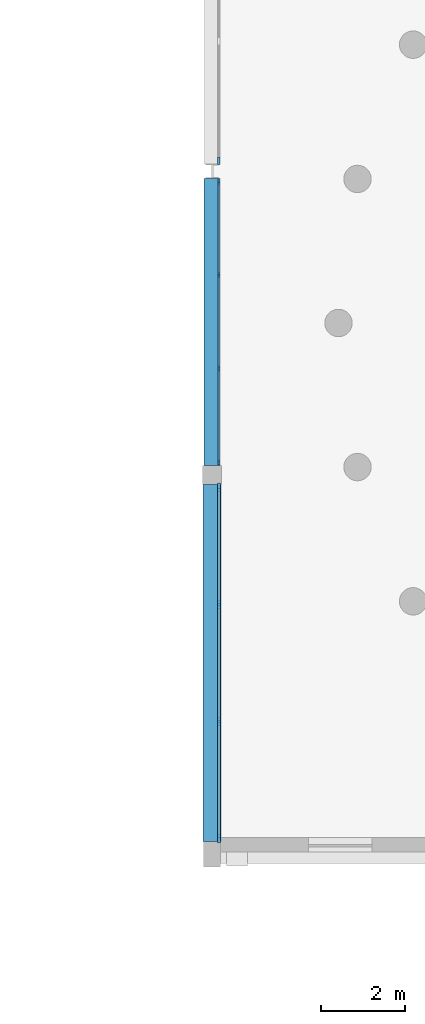
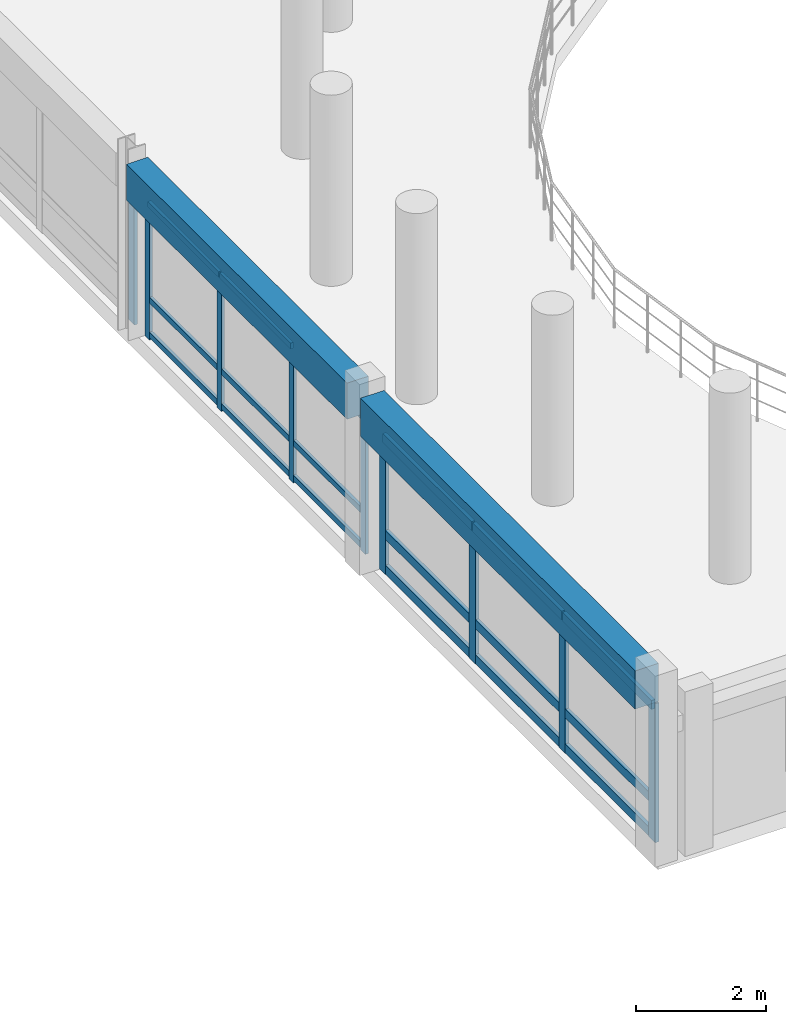
# One storey, part 12 of 52: 27 members, 2 beams, 3 elements without a shape of their own.
"""IFC4 building model written with IfcOpenShell, lengths in metres."""

from ifc_helpers import new_model, si_unit, direction, frame, origin, origin_2d, place, context, subcontext, project, spatial, rectangle, extrude, material, material_profile, profile_set, type_object, element, aggregate, save


model = new_model("IFC4")

# Units and contexts
model_context = context("Model", 3, precision=1e-05, world=origin(), true_north=direction((0.0, 1.0)))
body_context = subcontext(model_context, "Body", "Model", "MODEL_VIEW")
ifc_project = project(units=[si_unit("LENGTHUNIT", "METRE"), si_unit("AREAUNIT", "SQUARE_METRE"), si_unit("VOLUMEUNIT", "CUBIC_METRE"), si_unit("PLANEANGLEUNIT", "RADIAN"), si_unit("MASSUNIT", "GRAM", prefix="KILO")], contexts=[model_context])

# Site, building, storey
site_placement = place(None, origin())
site = spatial("IfcSite", under=ifc_project, at=site_placement, CompositionType="ELEMENT")
building_placement = place(site_placement, origin())
building = spatial("IfcBuilding", under=site, at=building_placement, Name="Clarverna Civic Hall", CompositionType="ELEMENT")
storey_placement = place(building_placement, frame((0.0, 0.0, 16.800048828125)))
storey = spatial("IfcBuildingStorey", under=building, at=storey_placement, Name="L04", CompositionType="ELEMENT", Elevation=16.800048828125)

# Beams
ifc_material_1 = material(Name="Concrete C35/45", Category="concrete")
ifc_material_profile_1 = material_profile(ifc_material_1, rectangle(XDim=0.419921875, YDim=0.719970703125, at=origin_2d()), Name="RC 420x720")
ifc_profile_set_1 = profile_set([ifc_material_profile_1], Name="Concrete C35/45")
beam_type_1 = type_object("IfcBeamType", Name="B-SP1", PredefinedType="SPANDREL", material=ifc_profile_set_1)
beam_1_placement = place(storey_placement, frame((66.60009765625, 46.699951171875, 2.97998046875), z_axis=(0.0, 1.0, 0.0), x_axis=(-1.0, 0.0, 0.0)))
element("IfcBeam", 1, at=beam_1_placement, inside=storey, type_object=beam_type_1, Name="B-SP1-138", PredefinedType="SPANDREL", context=body_context, shape_type="SweptSolid", body=[
    extrude(rectangle(XDim=0.419921875, YDim=0.719970703125, at=origin_2d()), origin(), (0.0, 0.0, 1.0), 8.47509765625),
])
ifc_material_profile_2 = material_profile(ifc_material_1, rectangle(XDim=0.3798828125, YDim=0.679931640625, at=origin_2d()), Name="RC 380x680")
ifc_profile_set_2 = profile_set([ifc_material_profile_2], Name="Concrete C35/45")
beam_type_2 = type_object("IfcBeamType", Name="B-SP2", PredefinedType="SPANDREL", material=ifc_profile_set_2)
beam_2_placement = place(storey_placement, frame((66.60009765625, 55.625, 3.0), z_axis=(0.0, 1.0, 0.0), x_axis=(-1.0, 0.0, 0.0)))
element("IfcBeam", 2, at=beam_2_placement, inside=storey, type_object=beam_type_2, Name="B-SP2-145", PredefinedType="SPANDREL", context=body_context, shape_type="SweptSolid", body=[
    extrude(rectangle(XDim=0.3798828125, YDim=0.679931640625, at=origin_2d()), origin(), (0.0, 0.0, 1.0), 6.804931640625),
])

# Curtain wall, member
ifc_material_2 = material(Name="Anodised Bronze Architectural Aluminium", Category="aluminium")
curtain_wall_type = type_object("IfcCurtainWallType", Name="CW-06", PredefinedType="USERDEFINED", material=ifc_material_2)
curtain_wall_1_placement = place(storey_placement, origin())
curtain_wall_1 = element("IfcCurtainWall", 3, at=curtain_wall_1_placement, inside=storey, type_object=curtain_wall_type, Name="CW-06-003", ObjectType="UNITISED CURTAIN WALL", PredefinedType="USERDEFINED")
ifc_material_profile_3 = material_profile(ifc_material_2, rectangle(XDim=0.06005859375, YDim=0.179931640625, at=origin_2d()), Name="BRONZE 60x180")
ifc_profile_set_3 = profile_set([ifc_material_profile_3], Name="Anodised Bronze Architectural Aluminium")
member_type_1 = type_object("IfcMemberType", Name="CWM-01", PredefinedType="MULLION", material=ifc_profile_set_3)
member_1_placement = place(storey_placement, frame((66.764892578125, 62.843017578125, 0.0), z_axis=(0.0, 0.0, 1.0), x_axis=(1.0, 0.0, 0.0)))
member_1 = element("IfcMember", 4, at=member_1_placement, type_object=member_type_1, Name="CWM-01-178", PredefinedType="MULLION", context=body_context, shape_type="SweptSolid", body=[
    extrude(rectangle(XDim=0.06005859375, YDim=0.179931640625, at=origin_2d()), origin(), (0.0, 0.0, 1.0), 2.659912109375),
])
aggregate(curtain_wall_1, [member_1])

# Curtain wall, members
curtain_wall_2_placement = place(storey_placement, origin())
curtain_wall_2 = element("IfcCurtainWall", 5, at=curtain_wall_2_placement, inside=storey, type_object=curtain_wall_type, Name="CW-06-001", ObjectType="UNITISED CURTAIN WALL", PredefinedType="USERDEFINED")
ifc_material_profile_4 = material_profile(ifc_material_2, rectangle(XDim=0.06494140625, YDim=0.199951171875, at=origin_2d()), Name="BRONZE 65x200")
ifc_profile_set_4 = profile_set([ifc_material_profile_4], Name="Anodised Bronze Architectural Aluminium")
member_type_2 = type_object("IfcMemberType", Name="CWM-03", PredefinedType="MULLION", material=ifc_profile_set_4)
member_2_placement = place(storey_placement, frame((66.764892578125, 46.77294921875, 0.0), z_axis=(0.0, 0.0, 1.0), x_axis=(1.0, 0.0, 0.0)))
member_2 = element("IfcMember", 6, at=member_2_placement, type_object=member_type_2, Name="CWM-03-180", PredefinedType="MULLION", context=body_context, shape_type="SweptSolid", body=[
    extrude(rectangle(XDim=0.06494140625, YDim=0.199951171875, at=origin_2d()), origin(), (0.0, 0.0, 1.0), 2.619873046875),
])
member_3_placement = place(storey_placement, frame((66.764892578125, 49.54931640625, 0.0), z_axis=(0.0, 0.0, 1.0), x_axis=(1.0, 0.0, 0.0)))
member_3 = element("IfcMember", 7, at=member_3_placement, type_object=member_type_2, Name="CWM-03-181", PredefinedType="MULLION", context=body_context, shape_type="SweptSolid", body=[
    extrude(rectangle(XDim=0.06494140625, YDim=0.199951171875, at=origin_2d()), origin(), (0.0, 0.0, 1.0), 2.619873046875),
])
member_4_placement = place(storey_placement, frame((66.764892578125, 52.32568359375, 0.0), z_axis=(0.0, 0.0, 1.0), x_axis=(1.0, 0.0, 0.0)))
member_4 = element("IfcMember", 8, at=member_4_placement, type_object=member_type_2, Name="CWM-03-182", PredefinedType="MULLION", context=body_context, shape_type="SweptSolid", body=[
    extrude(rectangle(XDim=0.06494140625, YDim=0.199951171875, at=origin_2d()), origin(), (0.0, 0.0, 1.0), 2.619873046875),
])
member_5_placement = place(storey_placement, frame((66.764892578125, 55.10205078125, 0.0), z_axis=(0.0, 0.0, 1.0), x_axis=(1.0, 0.0, 0.0)))
member_5 = element("IfcMember", 9, at=member_5_placement, type_object=member_type_2, Name="CWM-03-183", PredefinedType="MULLION", context=body_context, shape_type="SweptSolid", body=[
    extrude(rectangle(XDim=0.06494140625, YDim=0.199951171875, at=origin_2d()), origin(), (0.0, 0.0, 1.0), 2.619873046875),
])

curtain_wall_3_placement = place(storey_placement, origin())
curtain_wall_3 = element("IfcCurtainWall", 10, at=curtain_wall_3_placement, inside=storey, type_object=curtain_wall_type, Name="CW-06-002", ObjectType="UNITISED CURTAIN WALL", PredefinedType="USERDEFINED")
ifc_material_profile_5 = material_profile(ifc_material_2, rectangle(XDim=0.054931640625, YDim=0.139892578125, at=origin_2d()), Name="BRONZE 55x140")
ifc_profile_set_5 = profile_set([ifc_material_profile_5], Name="Anodised Bronze Architectural Aluminium")
member_type_3 = type_object("IfcMemberType", Name="CWM-04", PredefinedType="MULLION", material=ifc_profile_set_5)
member_6_placement = place(storey_placement, frame((66.764892578125, 55.697998046875, 0.0), z_axis=(0.0, 0.0, 1.0), x_axis=(1.0, 0.0, 0.0)))
member_6 = element("IfcMember", 11, at=member_6_placement, type_object=member_type_3, Name="CWM-04-203", PredefinedType="MULLION", context=body_context, shape_type="SweptSolid", body=[
    extrude(rectangle(XDim=0.054931640625, YDim=0.139892578125, at=origin_2d()), origin(), (0.0, 0.0, 1.0), 2.619873046875),
])
member_7_placement = place(storey_placement, frame((66.764892578125, 57.917724609375, 0.0), z_axis=(0.0, 0.0, 1.0), x_axis=(1.0, 0.0, 0.0)))
member_7 = element("IfcMember", 12, at=member_7_placement, type_object=member_type_3, Name="CWM-04-204", PredefinedType="MULLION", context=body_context, shape_type="SweptSolid", body=[
    extrude(rectangle(XDim=0.054931640625, YDim=0.139892578125, at=origin_2d()), origin(), (0.0, 0.0, 1.0), 2.619873046875),
])
member_8_placement = place(storey_placement, frame((66.764892578125, 60.13720703125, 0.0), z_axis=(0.0, 0.0, 1.0), x_axis=(1.0, 0.0, 0.0)))
member_8 = element("IfcMember", 13, at=member_8_placement, type_object=member_type_3, Name="CWM-04-205", PredefinedType="MULLION", context=body_context, shape_type="SweptSolid", body=[
    extrude(rectangle(XDim=0.054931640625, YDim=0.139892578125, at=origin_2d()), origin(), (0.0, 0.0, 1.0), 2.619873046875),
])
member_9_placement = place(storey_placement, frame((66.764892578125, 62.35693359375, 0.0), z_axis=(0.0, 0.0, 1.0), x_axis=(1.0, 0.0, 0.0)))
member_9 = element("IfcMember", 14, at=member_9_placement, type_object=member_type_3, Name="CWM-04-206", PredefinedType="MULLION", context=body_context, shape_type="SweptSolid", body=[
    extrude(rectangle(XDim=0.054931640625, YDim=0.139892578125, at=origin_2d()), origin(), (0.0, 0.0, 1.0), 2.619873046875),
])

# Member
ifc_material_profile_6 = material_profile(ifc_material_2, rectangle(XDim=0.06494140625, YDim=0.169921875, at=origin_2d()), Name="BRONZE 65x170")
ifc_profile_set_6 = profile_set([ifc_material_profile_6], Name="Anodised Bronze Architectural Aluminium")
member_type_4 = type_object("IfcMemberType", Name="CWT-03", PredefinedType="USERDEFINED", material=ifc_profile_set_6)
member_10_placement = place(storey_placement, frame((66.764892578125, 46.7880859375, 0.094970703125), z_axis=(0.0, 1.0, 0.0), x_axis=(-1.0, 0.0, 0.0)))
member_10 = element("IfcMember", 15, at=member_10_placement, type_object=member_type_4, Name="CWT-03-382", ObjectType="TRANSOM", PredefinedType="USERDEFINED", context=body_context, shape_type="SweptSolid", body=[
    extrude(rectangle(XDim=0.06494140625, YDim=0.169921875, at=origin_2d()), origin(), (0.0, 0.0, 1.0), 2.74609375),
])

member_11_placement = place(storey_placement, frame((66.764892578125, 46.7880859375, 0.75), z_axis=(0.0, 1.0, 0.0), x_axis=(-1.0, 0.0, 0.0)))
member_11 = element("IfcMember", 16, at=member_11_placement, type_object=member_type_4, Name="CWT-03-383", ObjectType="TRANSOM", PredefinedType="USERDEFINED", context=body_context, shape_type="SweptSolid", body=[
    extrude(rectangle(XDim=0.06494140625, YDim=0.169921875, at=origin_2d()), origin(), (0.0, 0.0, 1.0), 2.74609375),
])

member_12_placement = place(storey_placement, frame((66.764892578125, 46.7880859375, 2.52490234375), z_axis=(0.0, 1.0, 0.0), x_axis=(-1.0, 0.0, 0.0)))
member_12 = element("IfcMember", 17, at=member_12_placement, type_object=member_type_4, Name="CWT-03-384", ObjectType="TRANSOM", PredefinedType="USERDEFINED", context=body_context, shape_type="SweptSolid", body=[
    extrude(rectangle(XDim=0.06494140625, YDim=0.169921875, at=origin_2d()), origin(), (0.0, 0.0, 1.0), 2.74609375),
])

member_13_placement = place(storey_placement, frame((66.764892578125, 49.564208984375, 0.094970703125), z_axis=(0.0, 1.0, 0.0), x_axis=(-1.0, 0.0, 0.0)))
member_13 = element("IfcMember", 18, at=member_13_placement, type_object=member_type_4, Name="CWT-03-385", ObjectType="TRANSOM", PredefinedType="USERDEFINED", context=body_context, shape_type="SweptSolid", body=[
    extrude(rectangle(XDim=0.06494140625, YDim=0.169921875, at=origin_2d()), origin(), (0.0, 0.0, 1.0), 2.74658203125),
])

member_14_placement = place(storey_placement, frame((66.764892578125, 49.564208984375, 0.75), z_axis=(0.0, 1.0, 0.0), x_axis=(-1.0, 0.0, 0.0)))
member_14 = element("IfcMember", 19, at=member_14_placement, type_object=member_type_4, Name="CWT-03-386", ObjectType="TRANSOM", PredefinedType="USERDEFINED", context=body_context, shape_type="SweptSolid", body=[
    extrude(rectangle(XDim=0.06494140625, YDim=0.169921875, at=origin_2d()), origin(), (0.0, 0.0, 1.0), 2.74658203125),
])

member_15_placement = place(storey_placement, frame((66.764892578125, 49.564208984375, 2.52490234375), z_axis=(0.0, 1.0, 0.0), x_axis=(-1.0, 0.0, 0.0)))
member_15 = element("IfcMember", 20, at=member_15_placement, type_object=member_type_4, Name="CWT-03-387", ObjectType="TRANSOM", PredefinedType="USERDEFINED", context=body_context, shape_type="SweptSolid", body=[
    extrude(rectangle(XDim=0.06494140625, YDim=0.169921875, at=origin_2d()), origin(), (0.0, 0.0, 1.0), 2.74658203125),
])

member_16_placement = place(storey_placement, frame((66.764892578125, 52.3408203125, 0.094970703125), z_axis=(0.0, 1.0, 0.0), x_axis=(-1.0, 0.0, 0.0)))
member_16 = element("IfcMember", 21, at=member_16_placement, type_object=member_type_4, Name="CWT-03-388", ObjectType="TRANSOM", PredefinedType="USERDEFINED", context=body_context, shape_type="SweptSolid", body=[
    extrude(rectangle(XDim=0.06494140625, YDim=0.169921875, at=origin_2d()), origin(), (0.0, 0.0, 1.0), 2.74609375),
])

member_17_placement = place(storey_placement, frame((66.764892578125, 52.3408203125, 0.75), z_axis=(0.0, 1.0, 0.0), x_axis=(-1.0, 0.0, 0.0)))
member_17 = element("IfcMember", 22, at=member_17_placement, type_object=member_type_4, Name="CWT-03-389", ObjectType="TRANSOM", PredefinedType="USERDEFINED", context=body_context, shape_type="SweptSolid", body=[
    extrude(rectangle(XDim=0.06494140625, YDim=0.169921875, at=origin_2d()), origin(), (0.0, 0.0, 1.0), 2.74609375),
])

member_18_placement = place(storey_placement, frame((66.764892578125, 52.3408203125, 2.52490234375), z_axis=(0.0, 1.0, 0.0), x_axis=(-1.0, 0.0, 0.0)))
member_18 = element("IfcMember", 23, at=member_18_placement, type_object=member_type_4, Name="CWT-03-390", ObjectType="TRANSOM", PredefinedType="USERDEFINED", context=body_context, shape_type="SweptSolid", body=[
    extrude(rectangle(XDim=0.06494140625, YDim=0.169921875, at=origin_2d()), origin(), (0.0, 0.0, 1.0), 2.74609375),
])

aggregate(curtain_wall_2, [member_2, member_3, member_4, member_5, member_10, member_11, member_12, member_13, member_14, member_15, member_16, member_17, member_18])

ifc_material_profile_7 = material_profile(ifc_material_2, rectangle(XDim=0.054931640625, YDim=0.110107421875, at=origin_2d()), Name="BRONZE 55x110")
ifc_profile_set_7 = profile_set([ifc_material_profile_7], Name="Anodised Bronze Architectural Aluminium")
member_type_5 = type_object("IfcMemberType", Name="CWT-04", PredefinedType="USERDEFINED", material=ifc_profile_set_7)
member_19_placement = place(storey_placement, frame((66.764892578125, 55.712890625, 0.094970703125), z_axis=(0.0, 1.0, 0.0), x_axis=(-1.0, 0.0, 0.0)))
member_19 = element("IfcMember", 24, at=member_19_placement, type_object=member_type_5, Name="CWT-04-430", ObjectType="TRANSOM", PredefinedType="USERDEFINED", context=body_context, shape_type="SweptSolid", body=[
    extrude(rectangle(XDim=0.054931640625, YDim=0.110107421875, at=origin_2d()), origin(), (0.0, 0.0, 1.0), 2.189697265625),
])

member_20_placement = place(storey_placement, frame((66.764892578125, 55.712890625, 0.75), z_axis=(0.0, 1.0, 0.0), x_axis=(-1.0, 0.0, 0.0)))
member_20 = element("IfcMember", 25, at=member_20_placement, type_object=member_type_5, Name="CWT-04-431", ObjectType="TRANSOM", PredefinedType="USERDEFINED", context=body_context, shape_type="SweptSolid", body=[
    extrude(rectangle(XDim=0.054931640625, YDim=0.110107421875, at=origin_2d()), origin(), (0.0, 0.0, 1.0), 2.189697265625),
])

member_21_placement = place(storey_placement, frame((66.764892578125, 55.712890625, 2.52490234375), z_axis=(0.0, 1.0, 0.0), x_axis=(-1.0, 0.0, 0.0)))
member_21 = element("IfcMember", 26, at=member_21_placement, type_object=member_type_5, Name="CWT-04-432", ObjectType="TRANSOM", PredefinedType="USERDEFINED", context=body_context, shape_type="SweptSolid", body=[
    extrude(rectangle(XDim=0.054931640625, YDim=0.110107421875, at=origin_2d()), origin(), (0.0, 0.0, 1.0), 2.189697265625),
])

member_22_placement = place(storey_placement, frame((66.764892578125, 57.9326171875, 0.094970703125), z_axis=(0.0, 1.0, 0.0), x_axis=(-1.0, 0.0, 0.0)))
member_22 = element("IfcMember", 27, at=member_22_placement, type_object=member_type_5, Name="CWT-04-433", ObjectType="TRANSOM", PredefinedType="USERDEFINED", context=body_context, shape_type="SweptSolid", body=[
    extrude(rectangle(XDim=0.054931640625, YDim=0.110107421875, at=origin_2d()), origin(), (0.0, 0.0, 1.0), 2.189697265625),
])

member_23_placement = place(storey_placement, frame((66.764892578125, 57.9326171875, 0.75), z_axis=(0.0, 1.0, 0.0), x_axis=(-1.0, 0.0, 0.0)))
member_23 = element("IfcMember", 28, at=member_23_placement, type_object=member_type_5, Name="CWT-04-434", ObjectType="TRANSOM", PredefinedType="USERDEFINED", context=body_context, shape_type="SweptSolid", body=[
    extrude(rectangle(XDim=0.054931640625, YDim=0.110107421875, at=origin_2d()), origin(), (0.0, 0.0, 1.0), 2.189697265625),
])

member_24_placement = place(storey_placement, frame((66.764892578125, 57.9326171875, 2.52490234375), z_axis=(0.0, 1.0, 0.0), x_axis=(-1.0, 0.0, 0.0)))
member_24 = element("IfcMember", 29, at=member_24_placement, type_object=member_type_5, Name="CWT-04-435", ObjectType="TRANSOM", PredefinedType="USERDEFINED", context=body_context, shape_type="SweptSolid", body=[
    extrude(rectangle(XDim=0.054931640625, YDim=0.110107421875, at=origin_2d()), origin(), (0.0, 0.0, 1.0), 2.189697265625),
])

member_25_placement = place(storey_placement, frame((66.764892578125, 60.15234375, 0.094970703125), z_axis=(0.0, 1.0, 0.0), x_axis=(-1.0, 0.0, 0.0)))
member_25 = element("IfcMember", 30, at=member_25_placement, type_object=member_type_5, Name="CWT-04-436", ObjectType="TRANSOM", PredefinedType="USERDEFINED", context=body_context, shape_type="SweptSolid", body=[
    extrude(rectangle(XDim=0.054931640625, YDim=0.110107421875, at=origin_2d()), origin(), (0.0, 0.0, 1.0), 2.189697265625),
])

member_26_placement = place(storey_placement, frame((66.764892578125, 60.15234375, 0.75), z_axis=(0.0, 1.0, 0.0), x_axis=(-1.0, 0.0, 0.0)))
member_26 = element("IfcMember", 31, at=member_26_placement, type_object=member_type_5, Name="CWT-04-437", ObjectType="TRANSOM", PredefinedType="USERDEFINED", context=body_context, shape_type="SweptSolid", body=[
    extrude(rectangle(XDim=0.054931640625, YDim=0.110107421875, at=origin_2d()), origin(), (0.0, 0.0, 1.0), 2.189697265625),
])

member_27_placement = place(storey_placement, frame((66.764892578125, 60.15234375, 2.52490234375), z_axis=(0.0, 1.0, 0.0), x_axis=(-1.0, 0.0, 0.0)))
member_27 = element("IfcMember", 32, at=member_27_placement, type_object=member_type_5, Name="CWT-04-438", ObjectType="TRANSOM", PredefinedType="USERDEFINED", context=body_context, shape_type="SweptSolid", body=[
    extrude(rectangle(XDim=0.054931640625, YDim=0.110107421875, at=origin_2d()), origin(), (0.0, 0.0, 1.0), 2.189697265625),
])

aggregate(curtain_wall_3, [member_6, member_7, member_8, member_9, member_19, member_20, member_21, member_22, member_23, member_24, member_25, member_26, member_27])

save(model, "model.ifc")
